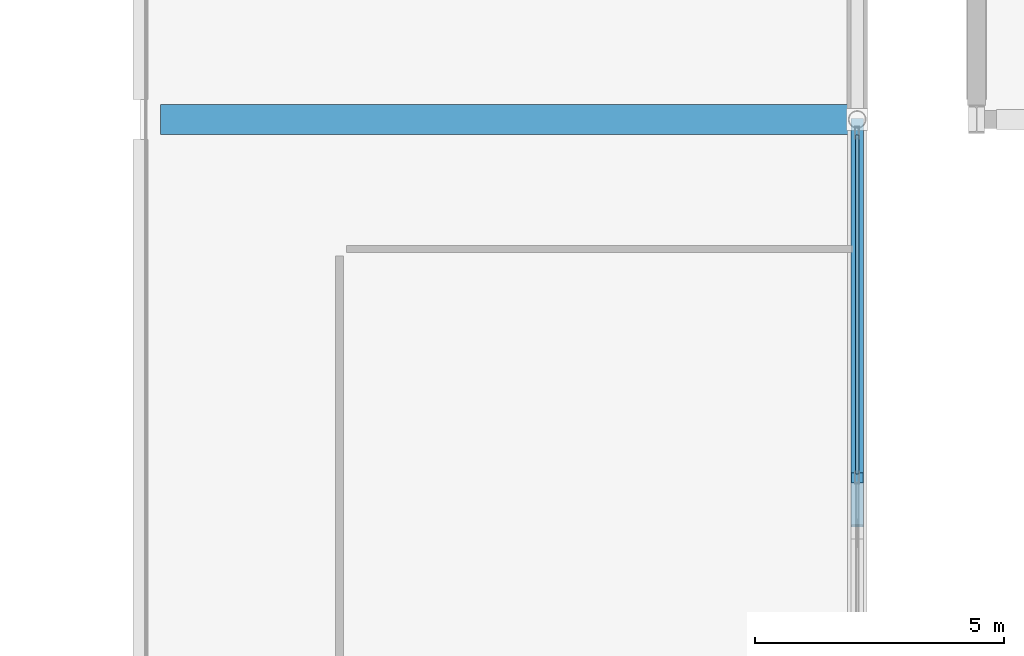
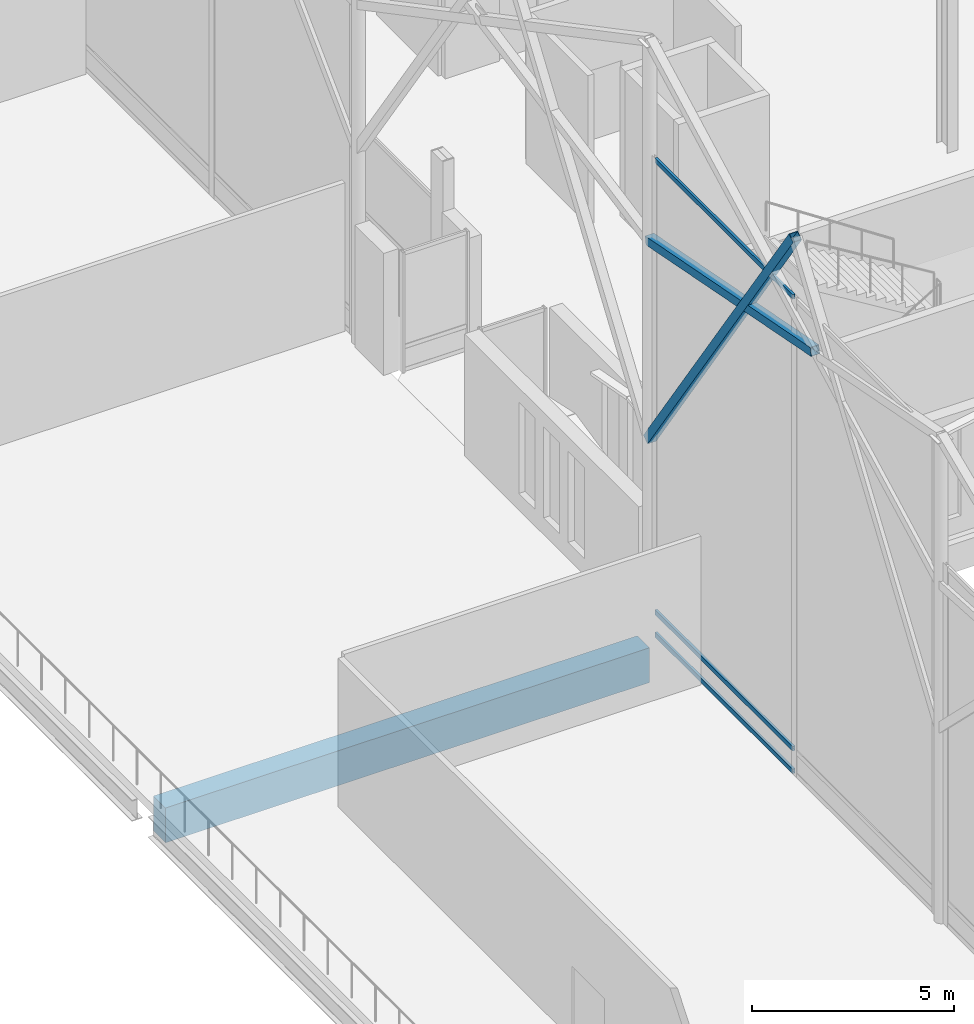
# One storey, part 70 of 220: 5 members, 1 beam, 1 element without a shape of its own.
"""IFC4 building model written with IfcOpenShell, lengths in metres."""

from ifc_helpers import new_model, si_unit, direction, frame, origin, origin_2d, place, context, subcontext, project, spatial, rectangle, hollow_rectangle, extrude, material, material_profile, profile_set, type_object, element, aggregate, save


model = new_model("IFC4")

# Units and contexts
model_context = context("Model", 3, precision=1e-05, world=origin(), true_north=direction((0.0, 1.0)))
body_context = subcontext(model_context, "Body", "Model", "MODEL_VIEW")
ifc_project = project(units=[si_unit("LENGTHUNIT", "METRE"), si_unit("AREAUNIT", "SQUARE_METRE"), si_unit("VOLUMEUNIT", "CUBIC_METRE"), si_unit("PLANEANGLEUNIT", "RADIAN"), si_unit("MASSUNIT", "GRAM", prefix="KILO")], contexts=[model_context])

# Site, building, storey
site_placement = place(None, origin())
site = spatial("IfcSite", under=ifc_project, at=site_placement, CompositionType="ELEMENT")
building_placement = place(site_placement, origin())
building = spatial("IfcBuilding", under=site, at=building_placement, Name="Cendralis Lancet Convention Centre", CompositionType="ELEMENT")
storey_placement = place(building_placement, frame((0.0, 0.0, 5.39990234375)))
storey = spatial("IfcBuildingStorey", under=building, at=storey_placement, Name="L01", CompositionType="ELEMENT", Elevation=5.39990234375)

# Curtain wall, members
ifc_material_1 = material(Name="Anodised bronze architectural aluminium", Category="aluminium")
curtain_wall_type = type_object("IfcCurtainWallType", Name="ARC-CW-GB02", PredefinedType="USERDEFINED", material=ifc_material_1)
curtain_wall_placement = place(storey_placement, origin())
curtain_wall = element("IfcCurtainWall", 1, at=curtain_wall_placement, inside=storey, type_object=curtain_wall_type, Name="L01 Curtain Wall CW-GB2 #107", ObjectType="CURTAIN WALL", PredefinedType="USERDEFINED")
ifc_material_profile_1 = material_profile(ifc_material_1, hollow_rectangle(XDim=0.070068359375, YDim=0.139892578125, WallThickness=0.00390625, at=origin_2d()), Name="AL-TRAN 70x140x4.0")
ifc_profile_set_1 = profile_set([ifc_material_profile_1], Name="Anodised bronze architectural aluminium")
member_type_1 = type_object("IfcMemberType", Name="ARC-CW-TR02", PredefinedType="USERDEFINED", material=ifc_profile_set_1)
member_1_placement = place(storey_placement, frame((122.39990234375, 93.292236328125, 0.070068359375), z_axis=(0.0, -1.0, 0.0), x_axis=(1.0, 0.0, 0.0)))
member_1 = element("IfcMember", 2, at=member_1_placement, type_object=member_type_1, Name="Transom CW2-CW-GB2-L01-107-T0BOT", ObjectType="TRANSOM", PredefinedType="USERDEFINED", context=body_context, shape_type="SweptSolid", body=[
    extrude(hollow_rectangle(XDim=0.070068359375, YDim=0.139892578125, WallThickness=0.00390625, at=origin_2d()), origin(), (0.0, 0.0, 1.0), 6.812255859375),
])
member_2_placement = place(storey_placement, frame((122.39990234375, 93.292236328125, 0.75), z_axis=(0.0, -1.0, 0.0), x_axis=(1.0, 0.0, 0.0)))
member_2 = element("IfcMember", 3, at=member_2_placement, type_object=member_type_1, Name="Transom CW2-CW-GB2-L01-107-T0MID", ObjectType="TRANSOM", PredefinedType="USERDEFINED", context=body_context, shape_type="SweptSolid", body=[
    extrude(hollow_rectangle(XDim=0.070068359375, YDim=0.139892578125, WallThickness=0.00390625, at=origin_2d()), origin(), (0.0, 0.0, 1.0), 6.812255859375),
])
member_3_placement = place(storey_placement, frame((122.39990234375, 93.292236328125, 14.385986328125), z_axis=(0.0, -1.0, 0.0), x_axis=(1.0, 0.0, 0.0)))
member_3 = element("IfcMember", 4, at=member_3_placement, type_object=member_type_1, Name="Transom CW2-CW-GB2-L01-107-T0TOP", ObjectType="TRANSOM", PredefinedType="USERDEFINED", context=body_context, shape_type="SweptSolid", body=[
    extrude(hollow_rectangle(XDim=0.070068359375, YDim=0.139892578125, WallThickness=0.00390625, at=origin_2d()), origin(), (0.0, 0.0, 1.0), 6.812255859375),
])
aggregate(curtain_wall, [member_1, member_2, member_3])

# Beam
ifc_material_2 = material(Name="Concrete G40 (C40/50)", Category="concrete")
ifc_material_profile_2 = material_profile(ifc_material_2, rectangle(XDim=0.60009765625, YDim=1.050048828125, at=origin_2d()), Name="RCB 600x1050")
ifc_profile_set_2 = profile_set([ifc_material_profile_2], Name="Concrete G40 (C40/50)")
beam_type = type_object("IfcBeamType", Name="STR-BM-BG03", PredefinedType="BEAM", material=ifc_profile_set_2)
beam_placement = place(storey_placement, frame((108.39990234375, 93.60009765625, -0.804931640625), z_axis=(1.0, 0.0, 0.0), x_axis=(0.0, 1.0, 0.0)))
element("IfcBeam", 5, at=beam_placement, inside=storey, type_object=beam_type, Name="L01 Beam BG03 #1297", PredefinedType="BEAM", context=body_context, shape_type="SweptSolid", body=[
    extrude(rectangle(XDim=0.60009765625, YDim=1.050048828125, at=origin_2d()), origin(), (0.0, 0.0, 1.0), 13.822265625),
])

# Members
ifc_material_3 = material(Name="Steel S355", Category="steel")
ifc_material_profile_3 = material_profile(ifc_material_3, hollow_rectangle(XDim=0.25, YDim=0.25, WallThickness=0.012451171875, at=origin_2d()), Name="SHS 250x250x12.5")
ifc_profile_set_3 = profile_set([ifc_material_profile_3], Name="Steel S355")
member_type_2 = type_object("IfcMemberType", Name="STR-BR-GB01", PredefinedType="BRACE", material=ifc_profile_set_3)
member_4_placement = place(storey_placement, frame((122.39990234375, 93.60009765625, 5.800048828125), z_axis=(0.0, -0.56749371338, 0.823377729402), x_axis=(1.0, 0.0, 0.0)))
element("IfcMember", 6, at=member_4_placement, inside=storey, type_object=member_type_2, Name="Exhibition Gable Gothic Ogival Tracery Rib GBR1 #042", PredefinedType="BRACE", context=body_context, shape_type="SweptSolid", body=[
    extrude(hollow_rectangle(XDim=0.25, YDim=0.25, WallThickness=0.012451171875, at=origin_2d()), origin(), (0.0, 0.0, 1.0), 12.687744140625),
])
member_5_placement = place(storey_placement, frame((122.39990234375, 93.60009765625, 11.81201171875), z_axis=(0.0, -0.98168616369, 0.190505317565), x_axis=(1.0, 0.0, 0.0)))
element("IfcMember", 7, at=member_5_placement, inside=storey, type_object=member_type_2, Name="Exhibition Gable Split X-Brace Rib GBR1 #044", PredefinedType="BRACE", context=body_context, shape_type="SweptSolid", body=[
    extrude(hollow_rectangle(XDim=0.25, YDim=0.25, WallThickness=0.012451171875, at=origin_2d()), origin(), (0.0, 0.0, 1.0), 8.322265625),
])

save(model, "model.ifc")
